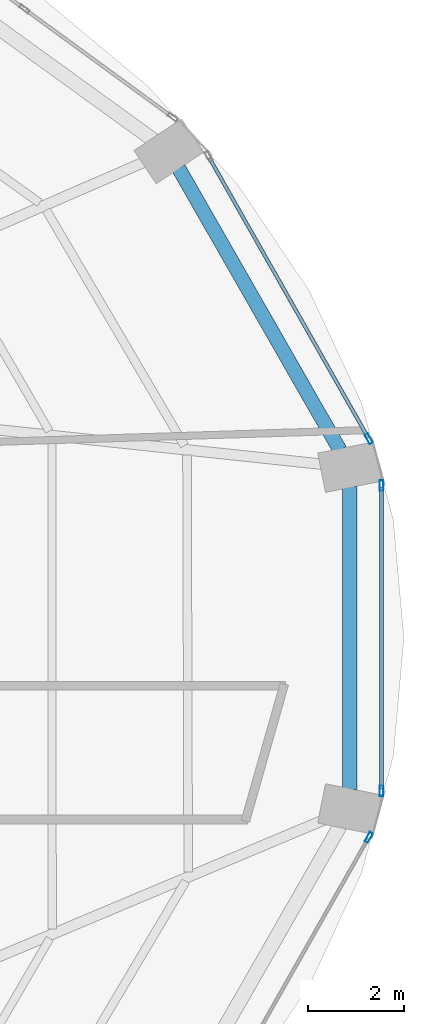
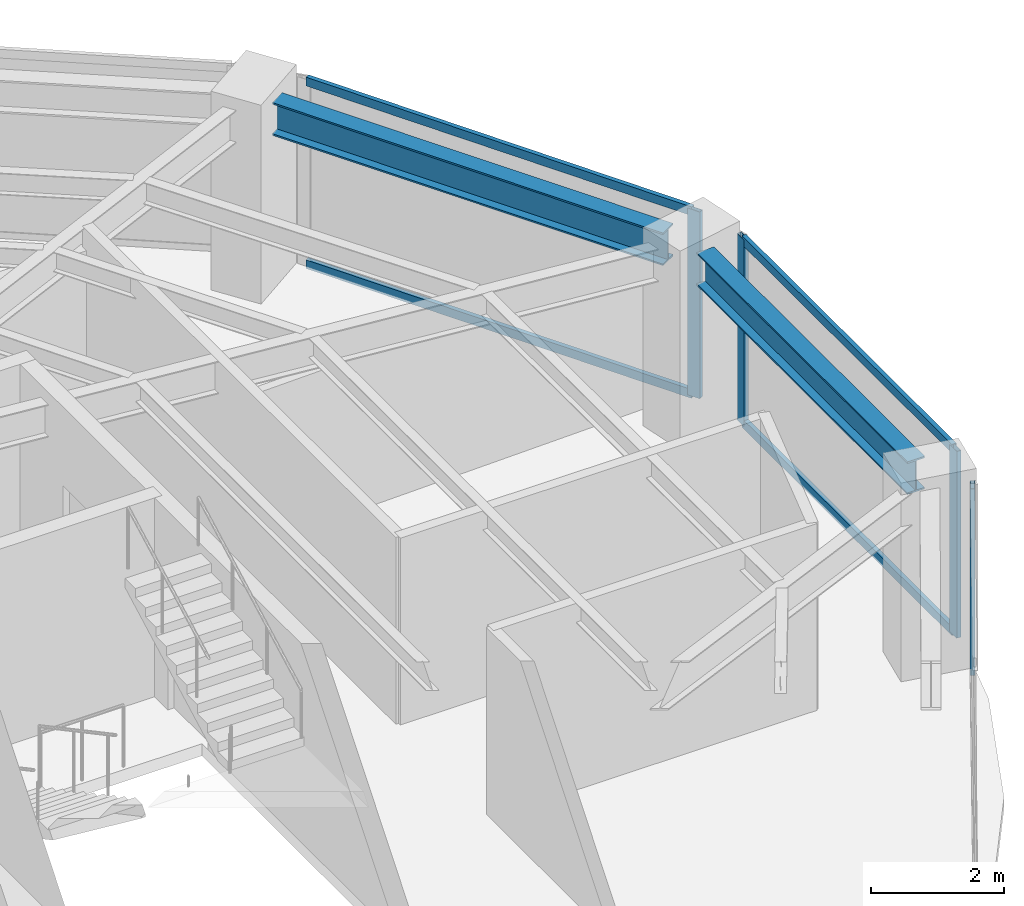
# One storey, part 13 of 23: 8 members, 2 beams, 3 elements without a shape of their own.
"""IFC4 building model written with IfcOpenShell, lengths in metres."""

from ifc_helpers import new_model, si_unit, direction, frame, origin, origin_2d, place, context, subcontext, project, spatial, hollow_rectangle, i_section, extrude, material, layer, layer_set, material_profile, profile_set, type_object, element, aggregate, save


model = new_model("IFC4")

# Units and contexts
model_context = context("Model", 3, precision=1e-05, world=origin(), true_north=direction((0.0, 1.0)))
body_context = subcontext(model_context, "Body", "Model", "MODEL_VIEW")
ifc_project = project(units=[si_unit("LENGTHUNIT", "METRE"), si_unit("AREAUNIT", "SQUARE_METRE"), si_unit("VOLUMEUNIT", "CUBIC_METRE"), si_unit("PLANEANGLEUNIT", "RADIAN"), si_unit("MASSUNIT", "GRAM", prefix="KILO")], contexts=[model_context])

# Site, building, storey
site_placement = place(None, origin())
site = spatial("IfcSite", under=ifc_project, at=site_placement, CompositionType="ELEMENT")
building_placement = place(site_placement, origin())
building = spatial("IfcBuilding", under=site, at=building_placement, Name="Lazwardi Medical Tower", CompositionType="ELEMENT")
storey_placement = place(building_placement, frame((0.0, 0.0, 92.68798828125)))
storey = spatial("IfcBuildingStorey", under=building, at=storey_placement, Name="L23", CompositionType="ELEMENT", Elevation=92.68798828125)

# Beams
ifc_material_1 = material(Name="Steel S355", Category="steel")
ifc_material_profile_1 = material_profile(ifc_material_1, i_section(OverallWidth=0.300048828125, OverallDepth=0.60009765625, WebThickness=0.015380859375, FlangeThickness=0.030029296875, at=origin_2d()), Name="HEB 600")
ifc_profile_set_1 = profile_set([ifc_material_profile_1], Name="Steel S355")
beam_type = type_object("IfcBeamType", Name="BM-RB-Z2", PredefinedType="BEAM", material=ifc_profile_set_1)
beam_1_placement = place(storey_placement, frame((60.86279296875, 27.22998046875, 3.1279296875), z_axis=(0.0, 1.0, 0.0), x_axis=(-1.0, 0.0, 0.0)))
element("IfcBeam", 1, at=beam_1_placement, inside=storey, type_object=beam_type, Name="Ring beam RB-03 B04 L23", PredefinedType="BEAM", context=body_context, shape_type="SweptSolid", body=[
    extrude(i_section(OverallWidth=0.300048828125, OverallDepth=0.60009765625, WebThickness=0.015380859375, FlangeThickness=0.030029296875, at=origin_2d()), origin(), (0.0, 0.0, 1.0), 6.33984375),
])
beam_2_placement = place(storey_placement, frame((60.6591796875, 34.335693359375, 3.1279296875), z_axis=(-0.496637551254, 0.867958030486, 0.0), x_axis=(-0.867958030486, -0.496637551254, 0.0)))
element("IfcBeam", 2, at=beam_2_placement, inside=storey, type_object=beam_type, Name="Ring beam RB-03 B05 L23", PredefinedType="BEAM", context=body_context, shape_type="SweptSolid", body=[
    extrude(i_section(OverallWidth=0.300048828125, OverallDepth=0.60009765625, WebThickness=0.015380859375, FlangeThickness=0.030029296875, at=origin_2d()), origin(), (0.0, 0.0, 1.0), 6.801025390625),
])

# Curtain wall, member
ifc_material_2 = material(Name="Anodised bronze aluminium and solar control glazing", Category="aluminium")
ifc_layer = layer(ifc_material_2, 0.195068359375)
ifc_layer_set = layer_set([ifc_layer], Name="Anodised bronze aluminium and solar control glazing")
curtain_wall_type = type_object("IfcCurtainWallType", Name="CW-SYS-03", PredefinedType="NOTDEFINED", material=ifc_layer_set)
curtain_wall_1_placement = place(storey_placement, origin())
curtain_wall_1 = element("IfcCurtainWall", 3, at=curtain_wall_1_placement, inside=storey, type_object=curtain_wall_type, Name="L23 Unitised bronze curtain wall CW-03", PredefinedType="NOTDEFINED")
ifc_material_3 = material(Name="Anodised bronze aluminium", Category="aluminium")
ifc_material_profile_2 = material_profile(ifc_material_3, hollow_rectangle(XDim=0.074951171875, YDim=0.219970703125, WallThickness=0.00390625, at=origin_2d()), Name="ALU-MULLION 220x75x4")
ifc_profile_set_2 = profile_set([ifc_material_profile_2], Name="Anodised bronze aluminium")
member_type_1 = type_object("IfcMemberType", Name="CW-MUL-01", PredefinedType="MULLION", material=ifc_profile_set_2)
member_1_placement = place(storey_placement, frame((61.2626953125, 26.22607421875, 0.0), z_axis=(0.0, 0.0, 1.0), x_axis=(-0.869687265712, 0.493603140041, 0.0)))
member_1 = element("IfcMember", 4, at=member_1_placement, type_object=member_type_1, Name="CW-03 mullion 2", PredefinedType="MULLION", context=body_context, shape_type="SweptSolid", body=[
    extrude(hollow_rectangle(XDim=0.074951171875, YDim=0.219970703125, WallThickness=0.00390625, at=origin_2d()), origin(), (0.0, 0.0, 1.0), 3.427978515625),
])
aggregate(curtain_wall_1, [member_1])

# Curtain wall, members
curtain_wall_2_placement = place(storey_placement, origin())
curtain_wall_2 = element("IfcCurtainWall", 5, at=curtain_wall_2_placement, inside=storey, type_object=curtain_wall_type, Name="L23 Unitised bronze curtain wall CW-03", PredefinedType="NOTDEFINED")
member_2_placement = place(storey_placement, frame((61.528076171875, 27.20263671875, 0.0), z_axis=(0.0, 0.0, 1.0), x_axis=(-1.0, 0.0, 0.0)))
member_2 = element("IfcMember", 6, at=member_2_placement, type_object=member_type_1, Name="CW-03 mullion 1", PredefinedType="MULLION", context=body_context, shape_type="SweptSolid", body=[
    extrude(hollow_rectangle(XDim=0.074951171875, YDim=0.219970703125, WallThickness=0.00390625, at=origin_2d()), origin(), (0.0, 0.0, 1.0), 3.427978515625),
])
member_3_placement = place(storey_placement, frame((61.528076171875, 33.597412109375, 0.0), z_axis=(0.0, 0.0, 1.0), x_axis=(-1.0, 0.0, 0.0)))
member_3 = element("IfcMember", 7, at=member_3_placement, type_object=member_type_1, Name="CW-03 mullion 2", PredefinedType="MULLION", context=body_context, shape_type="SweptSolid", body=[
    extrude(hollow_rectangle(XDim=0.074951171875, YDim=0.219970703125, WallThickness=0.00390625, at=origin_2d()), origin(), (0.0, 0.0, 1.0), 3.427978515625),
])

# Curtain wall, member
curtain_wall_3_placement = place(storey_placement, origin())
curtain_wall_3 = element("IfcCurtainWall", 8, at=curtain_wall_3_placement, inside=storey, type_object=curtain_wall_type, Name="L23 Unitised bronze curtain wall CW-03", PredefinedType="NOTDEFINED")
member_4_placement = place(storey_placement, frame((61.2626953125, 34.57373046875, 0.0), z_axis=(0.0, 0.0, 1.0), x_axis=(-0.869687265712, -0.493603140041, 0.0)))
member_4 = element("IfcMember", 9, at=member_4_placement, type_object=member_type_1, Name="CW-03 mullion 1", PredefinedType="MULLION", context=body_context, shape_type="SweptSolid", body=[
    extrude(hollow_rectangle(XDim=0.074951171875, YDim=0.219970703125, WallThickness=0.00390625, at=origin_2d()), origin(), (0.0, 0.0, 1.0), 3.427978515625),
])

# Member
ifc_material_profile_3 = material_profile(ifc_material_3, hollow_rectangle(XDim=0.074951171875, YDim=0.159912109375, WallThickness=0.00390625, at=origin_2d()), Name="ALU-TRANSOM 160x75x4")
ifc_profile_set_3 = profile_set([ifc_material_profile_3], Name="Anodised bronze aluminium")
member_type_2 = type_object("IfcMemberType", Name="CW-TRN-01", PredefinedType="USERDEFINED", material=ifc_profile_set_3)
member_5_placement = place(storey_placement, frame((61.528076171875, 27.239990234375, 0.03759765625), z_axis=(0.0, 1.0, 0.0), x_axis=(-1.0, 0.0, 0.0)))
member_5 = element("IfcMember", 10, at=member_5_placement, type_object=member_type_2, Name="CW-03 transom 1.1", ObjectType="TRANSOM", PredefinedType="USERDEFINED", context=body_context, shape_type="SweptSolid", body=[
    extrude(hollow_rectangle(XDim=0.074951171875, YDim=0.159912109375, WallThickness=0.00390625, at=origin_2d()), origin(), (0.0, 0.0, 1.0), 6.31982421875),
])

member_6_placement = place(storey_placement, frame((61.528076171875, 27.239990234375, 3.390625), z_axis=(0.0, 1.0, 0.0), x_axis=(-1.0, 0.0, 0.0)))
member_6 = element("IfcMember", 11, at=member_6_placement, type_object=member_type_2, Name="CW-03 transom 1.2", ObjectType="TRANSOM", PredefinedType="USERDEFINED", context=body_context, shape_type="SweptSolid", body=[
    extrude(hollow_rectangle(XDim=0.074951171875, YDim=0.159912109375, WallThickness=0.00390625, at=origin_2d()), origin(), (0.0, 0.0, 1.0), 6.31982421875),
])

aggregate(curtain_wall_2, [member_2, member_3, member_5, member_6])

member_7_placement = place(storey_placement, frame((61.244140625, 34.6064453125, 0.03759765625), z_axis=(-0.493614427365, 0.869680859337, 0.0), x_axis=(-0.869680859337, -0.493614427365, 0.0)))
member_7 = element("IfcMember", 12, at=member_7_placement, type_object=member_type_2, Name="CW-03 transom 1.1", ObjectType="TRANSOM", PredefinedType="USERDEFINED", context=body_context, shape_type="SweptSolid", body=[
    extrude(hollow_rectangle(XDim=0.074951171875, YDim=0.159912109375, WallThickness=0.00390625, at=origin_2d()), origin(), (0.0, 0.0, 1.0), 6.72314453125),
])

member_8_placement = place(storey_placement, frame((61.244140625, 34.6064453125, 3.390625), z_axis=(-0.493614427365, 0.869680859337, 0.0), x_axis=(-0.869680859337, -0.493614427365, 0.0)))
member_8 = element("IfcMember", 13, at=member_8_placement, type_object=member_type_2, Name="CW-03 transom 1.2", ObjectType="TRANSOM", PredefinedType="USERDEFINED", context=body_context, shape_type="SweptSolid", body=[
    extrude(hollow_rectangle(XDim=0.074951171875, YDim=0.159912109375, WallThickness=0.00390625, at=origin_2d()), origin(), (0.0, 0.0, 1.0), 6.72314453125),
])

aggregate(curtain_wall_3, [member_4, member_7, member_8])

save(model, "model.ifc")
